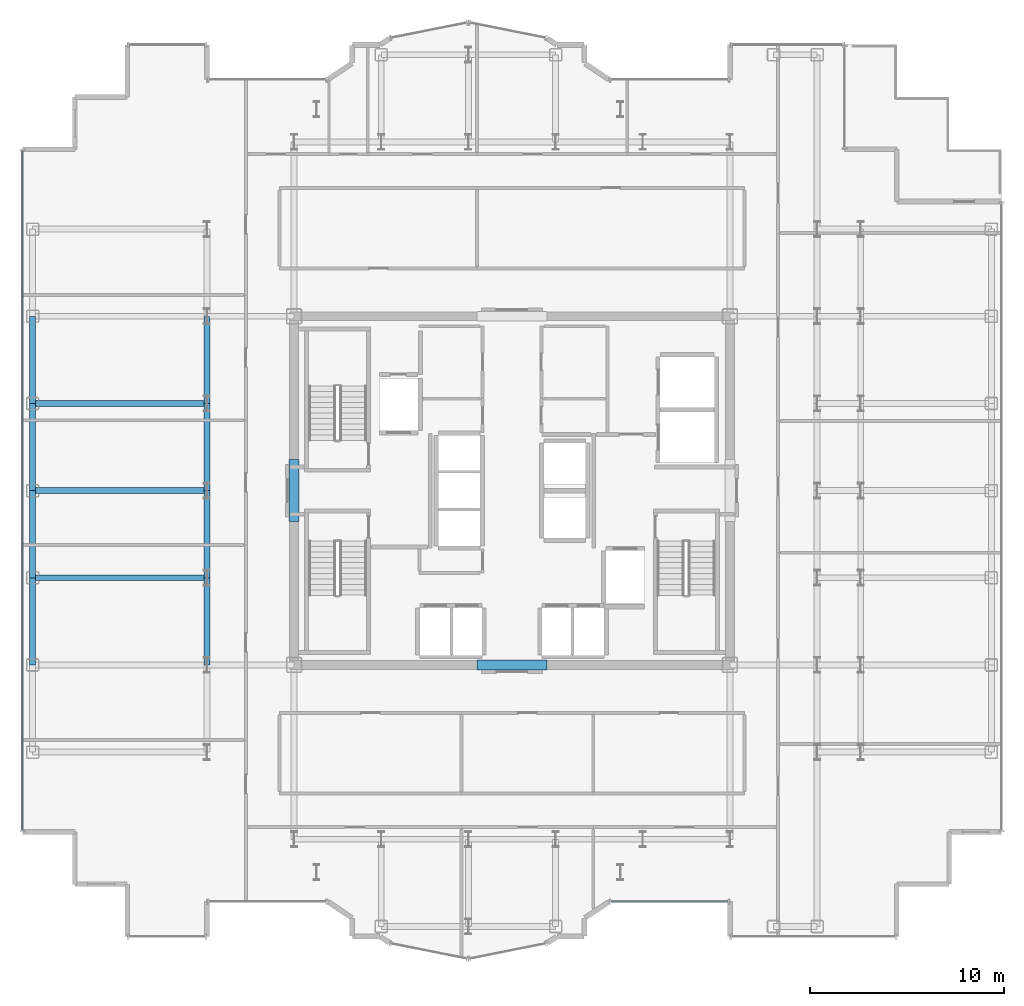
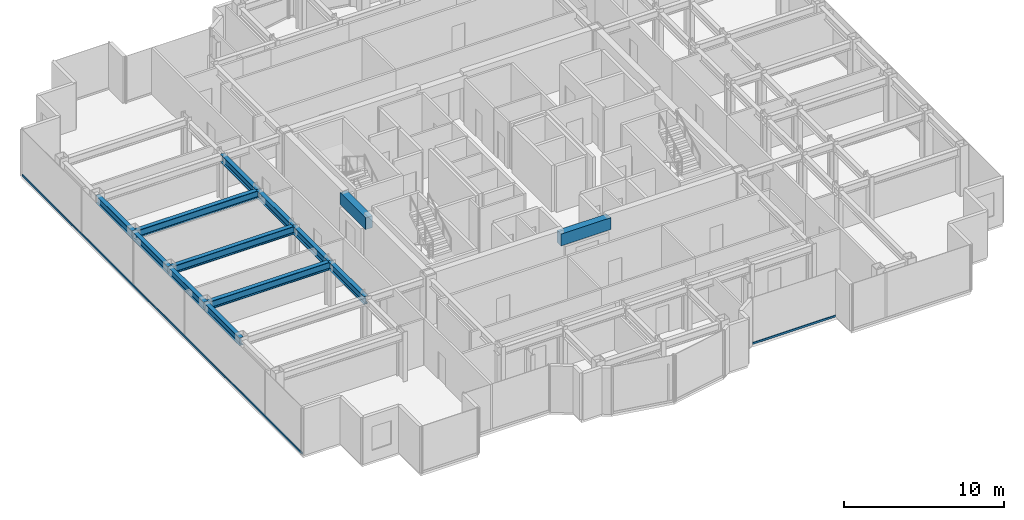
# One storey, part 4 of 20: 13 beams, 2 members, 2 elements without a shape of their own.
"""IFC4 building model written with IfcOpenShell, lengths in metres."""

from ifc_helpers import new_model, si_unit, direction, frame, origin, origin_2d, place, context, subcontext, project, spatial, rectangle, hollow_rectangle, i_section, extrude, source, transform, mapped, material, layer, layer_set, material_profile, profile_set, type_object, element, aggregate, save


model = new_model("IFC4")

# Units and contexts
model_context = context("Model", 3, precision=1e-05, world=origin(), true_north=direction((0.0, 1.0)))
body_context = subcontext(model_context, "Body", "Model", "MODEL_VIEW")
ifc_project = project(units=[si_unit("LENGTHUNIT", "METRE"), si_unit("AREAUNIT", "SQUARE_METRE"), si_unit("VOLUMEUNIT", "CUBIC_METRE"), si_unit("PLANEANGLEUNIT", "RADIAN"), si_unit("MASSUNIT", "GRAM", prefix="KILO")], contexts=[model_context])

# Site, building, storey
site_placement = place(None, origin())
site = spatial("IfcSite", under=ifc_project, at=site_placement, CompositionType="ELEMENT")
building_placement = place(site_placement, origin())
building = spatial("IfcBuilding", under=site, at=building_placement, Name="Nefas-Gora Pilgrimage Tower", CompositionType="ELEMENT")
storey_placement = place(building_placement, frame((0.0, 0.0, 221.800048828125)))
storey = spatial("IfcBuildingStorey", under=building, at=storey_placement, Name="L55", CompositionType="ELEMENT", Elevation=221.800048828125)

# Beams
ifc_material_1 = material(Name="Concrete C50/60", Category="concrete")
ifc_material_profile_1 = material_profile(ifc_material_1, rectangle(XDim=0.5, YDim=0.89990234375, at=origin_2d()), Name="RC 500x900")
ifc_profile_set_1 = profile_set([ifc_material_profile_1], Name="Concrete C50/60")
beam_type_1 = type_object("IfcBeamType", Name="BM-LIN-RC900", PredefinedType="LINTEL", material=ifc_profile_set_1)
shared_shape_1 = source(origin(), body_context, "Body", "SweptSolid", [
    extrude(rectangle(XDim=0.5, YDim=0.89990234375, at=origin_2d()), origin(), (0.0, 0.0, 1.0), 3.60009765625),
])
beam_1_placement = place(storey_placement, frame((-1.800048828125, -9.0, 3.099853515625), z_axis=(1.0, 0.0, 0.0), x_axis=(0.0, 1.0, 0.0)))
element("IfcBeam", 1, at=beam_1_placement, inside=storey, type_object=beam_type_1, Name="L55 Core Coupling Lintel Beam S", PredefinedType="LINTEL", context=body_context, shape_type="MappedRepresentation", body=[
    mapped(shared_shape_1, transform((0.0, 0.0, 0.0), x_axis=(1.0, 0.0, 0.0), y_axis=(0.0, 1.0, 0.0), z_axis=(0.0, 0.0, 1.0), scale=1.0)),
])
shared_shape_2 = source(origin(), body_context, "Body", "SweptSolid", [
    extrude(rectangle(XDim=0.5, YDim=0.89990234375, at=origin_2d()), origin(), (0.0, 0.0, 1.0), 3.2001953125),
])
beam_2_placement = place(storey_placement, frame((-11.25, -1.60009765625, 3.099853515625), z_axis=(0.0, 1.0, 0.0), x_axis=(-1.0, 0.0, 0.0)))
element("IfcBeam", 2, at=beam_2_placement, inside=storey, type_object=beam_type_1, Name="L55 Core Coupling Lintel Beam W", PredefinedType="LINTEL", context=body_context, shape_type="MappedRepresentation", body=[
    mapped(shared_shape_2, transform((0.0, 0.0, 0.0), x_axis=(1.0, 0.0, 0.0), y_axis=(0.0, 1.0, 0.0), z_axis=(0.0, 0.0, 1.0), scale=1.0)),
])
ifc_material_2 = material(Name="Steel S355", Category="steel")
ifc_material_profile_2 = material_profile(ifc_material_2, i_section(OverallWidth=0.300048828125, OverallDepth=0.60009765625, WebThickness=0.015380859375, FlangeThickness=0.030029296875, FilletRadius=0.027099609375, at=origin_2d()), Name="HEB 600")
ifc_profile_set_2 = profile_set([ifc_material_profile_2], Name="Steel S355")
beam_type_2 = type_object("IfcBeamType", Name="BM-SPN-HEB450", PredefinedType="SPANDREL", material=ifc_profile_set_2)
shared_shape_3 = source(origin(), body_context, "Body", "SweptSolid", [
    extrude(i_section(OverallWidth=0.300048828125, OverallDepth=0.60009765625, WebThickness=0.015380859375, FlangeThickness=0.030029296875, FilletRadius=0.027099609375, at=origin_2d()), origin(), (0.0, 0.0, 1.0), 4.5),
])
for number, where, z_axis, x_axis, name in (
    (3, (-24.75, -9.0, 3.25), (0.0, 1.0, 0.0), (-1.0, 0.0, 0.0), "L55 SP-03 beam"),
    (4, (-24.75, -4.5, 3.25), (0.0, 1.0, 0.0), (-1.0, 0.0, 0.0), "L55 SP-03 beam"),
    (5, (-24.75, 0.0, 3.25), (0.0, 1.0, 0.0), (-1.0, 0.0, 0.0), "L55 SP-03 beam"),
    (6, (-24.75, 4.5, 3.25), (0.0, 1.0, 0.0), (-1.0, 0.0, 0.0), "L55 SP-03 beam"),
):
    element("IfcBeam", number, at=place(storey_placement, frame(where, z_axis=z_axis, x_axis=x_axis)), inside=storey, type_object=beam_type_2, Name=name, PredefinedType="SPANDREL", context=body_context, shape_type="MappedRepresentation", body=[
        mapped(shared_shape_3, transform((0.0, 0.0, 0.0), x_axis=(1.0, 0.0, 0.0), y_axis=(0.0, 1.0, 0.0), z_axis=(0.0, 0.0, 1.0), scale=1.0)),
    ])
ifc_material_profile_3 = material_profile(ifc_material_2, i_section(OverallWidth=0.300048828125, OverallDepth=0.60009765625, WebThickness=0.015380859375, FlangeThickness=0.030029296875, FilletRadius=0.027099609375, at=origin_2d()), Name="HEB 600")
ifc_profile_set_3 = profile_set([ifc_material_profile_3], Name="Steel S355")
beam_type_3 = type_object("IfcBeamType", Name="BM-GIR-HEB600", PredefinedType="BEAM", material=ifc_profile_set_3)
shared_shape_4 = source(origin(), body_context, "Body", "SweptSolid", [
    extrude(i_section(OverallWidth=0.300048828125, OverallDepth=0.60009765625, WebThickness=0.015380859375, FlangeThickness=0.030029296875, FilletRadius=0.027099609375, at=origin_2d()), origin(), (0.0, 0.0, 1.0), 9.0),
])
for number, where, z_axis, x_axis, name in (
    (7, (-24.75, -4.5, 3.25), (1.0, 0.0, 0.0), (0.0, 1.0, 0.0), "L55 G-04 beam"),
    (8, (-24.75, 0.0, 3.25), (1.0, 0.0, 0.0), (0.0, 1.0, 0.0), "L55 G-04 beam"),
    (9, (-24.75, 4.5, 3.25), (1.0, 0.0, 0.0), (0.0, 1.0, 0.0), "L55 G-04 beam"),
):
    element("IfcBeam", number, at=place(storey_placement, frame(where, z_axis=z_axis, x_axis=x_axis)), inside=storey, type_object=beam_type_3, Name=name, PredefinedType="BEAM", context=body_context, shape_type="MappedRepresentation", body=[
        mapped(shared_shape_4, transform((0.0, 0.0, 0.0), x_axis=(1.0, 0.0, 0.0), y_axis=(0.0, 1.0, 0.0), z_axis=(0.0, 0.0, 1.0), scale=1.0)),
    ])
shared_shape_5 = source(origin(), body_context, "Body", "SweptSolid", [
    extrude(i_section(OverallWidth=0.300048828125, OverallDepth=0.60009765625, WebThickness=0.015380859375, FlangeThickness=0.030029296875, FilletRadius=0.027099609375, at=origin_2d()), origin(), (0.0, 0.0, 1.0), 4.5),
])
for number, where, z_axis, x_axis, name in (
    (10, (-15.75, -9.0, 3.25), (0.0, 1.0, 0.0), (-1.0, 0.0, 0.0), "L55 G-04 beam"),
    (11, (-15.75, -4.5, 3.25), (0.0, 1.0, 0.0), (-1.0, 0.0, 0.0), "L55 G-04 beam"),
    (12, (-15.75, 0.0, 3.25), (0.0, 1.0, 0.0), (-1.0, 0.0, 0.0), "L55 G-04 beam"),
    (13, (-15.75, 4.5, 3.25), (0.0, 1.0, 0.0), (-1.0, 0.0, 0.0), "L55 G-04 beam"),
):
    element("IfcBeam", number, at=place(storey_placement, frame(where, z_axis=z_axis, x_axis=x_axis)), inside=storey, type_object=beam_type_3, Name=name, PredefinedType="BEAM", context=body_context, shape_type="MappedRepresentation", body=[
        mapped(shared_shape_5, transform((0.0, 0.0, 0.0), x_axis=(1.0, 0.0, 0.0), y_axis=(0.0, 1.0, 0.0), z_axis=(0.0, 0.0, 1.0), scale=1.0)),
    ])

# Curtain wall, member
ifc_material_3 = material(Name="Dark ceramic-fritted solar-control aluminium-glass curtain wall", Category="aluminium")
ifc_layer_1 = layer(ifc_material_3, 0.219970703125)
ifc_layer_set_1 = layer_set([ifc_layer_1], Name="Dark ceramic-fritted solar-control aluminium-glass curtain wall")
curtain_wall_type_1 = type_object("IfcCurtainWallType", Name="CW-SYS-5", PredefinedType="NOTDEFINED", material=ifc_layer_set_1)
curtain_wall_1_placement = place(storey_placement, origin())
curtain_wall_1 = element("IfcCurtainWall", 14, at=curtain_wall_1_placement, inside=storey, type_object=curtain_wall_type_1, Name="L55 Unitised Curtain Wall CW5", PredefinedType="NOTDEFINED")
ifc_material_4 = material(Name="Anodised architectural aluminium", Category="aluminium")
ifc_material_profile_4 = material_profile(ifc_material_4, hollow_rectangle(XDim=0.080078125, YDim=0.159912109375, WallThickness=0.00439453125, InnerFilletRadius=0.00439453125, OuterFilletRadius=0.009033203125, at=origin_2d()), Name="ALU TRANSOM 80x160")
ifc_profile_set_4 = profile_set([ifc_material_profile_4], Name="Anodised architectural aluminium")
member_type_1 = type_object("IfcMemberType", Name="CWM-TRN-5", PredefinedType="USERDEFINED", material=ifc_profile_set_4)
shared_shape_6 = source(origin(), body_context, "Body", "SweptSolid", [
    extrude(hollow_rectangle(XDim=0.080078125, YDim=0.159912109375, WallThickness=0.00439453125, InnerFilletRadius=0.00439453125, OuterFilletRadius=0.009033203125, at=origin_2d()), origin(), (0.0, 0.0, 1.0), 6.052001953125),
])
member_1_placement = place(storey_placement, frame((5.10791015625, -21.219970703125, 0.050048828125), z_axis=(1.0, 0.0, 0.0), x_axis=(0.0, 1.0, 0.0)))
member_1 = element("IfcMember", 15, at=member_1_placement, type_object=member_type_1, Name="CW5 Spandrel Transom", ObjectType="TRANSOM", PredefinedType="USERDEFINED", context=body_context, shape_type="MappedRepresentation", body=[
    mapped(shared_shape_6, transform((0.0, 0.0, 0.0), x_axis=(1.0, 0.0, 0.0), y_axis=(0.0, 1.0, 0.0), z_axis=(0.0, 0.0, 1.0), scale=1.0)),
])
aggregate(curtain_wall_1, [member_1])

ifc_layer_2 = layer(ifc_material_3, 0.219970703125)
ifc_layer_set_2 = layer_set([ifc_layer_2], Name="Dark ceramic-fritted solar-control aluminium-glass curtain wall")
curtain_wall_type_2 = type_object("IfcCurtainWallType", Name="CW-SYS-3", PredefinedType="NOTDEFINED", material=ifc_layer_set_2)
curtain_wall_2_placement = place(storey_placement, origin())
curtain_wall_2 = element("IfcCurtainWall", 16, at=curtain_wall_2_placement, inside=storey, type_object=curtain_wall_type_2, Name="L55 Unitised Curtain Wall CW3", PredefinedType="NOTDEFINED")
ifc_material_profile_5 = material_profile(ifc_material_4, hollow_rectangle(XDim=0.080078125, YDim=0.159912109375, WallThickness=0.00439453125, InnerFilletRadius=0.00439453125, OuterFilletRadius=0.009033203125, at=origin_2d()), Name="ALU TRANSOM 80x160")
ifc_profile_set_5 = profile_set([ifc_material_profile_5], Name="Anodised architectural aluminium")
member_type_2 = type_object("IfcMemberType", Name="CWM-TRN-3", PredefinedType="USERDEFINED", material=ifc_profile_set_5)
shared_shape_7 = source(origin(), body_context, "Body", "SweptSolid", [
    extrude(hollow_rectangle(XDim=0.080078125, YDim=0.159912109375, WallThickness=0.00439453125, InnerFilletRadius=0.00439453125, OuterFilletRadius=0.009033203125, at=origin_2d()), origin(), (0.0, 0.0, 1.0), 35.06005859375),
])
member_2_placement = place(storey_placement, frame((-25.27001953125, 17.530029296875, 0.050048828125), z_axis=(0.0, -1.0, 0.0), x_axis=(1.0, 0.0, 0.0)))
member_2 = element("IfcMember", 17, at=member_2_placement, type_object=member_type_2, Name="CW3 Spandrel Transom", ObjectType="TRANSOM", PredefinedType="USERDEFINED", context=body_context, shape_type="MappedRepresentation", body=[
    mapped(shared_shape_7, transform((0.0, 0.0, 0.0), x_axis=(1.0, 0.0, 0.0), y_axis=(0.0, 1.0, 0.0), z_axis=(0.0, 0.0, 1.0), scale=1.0)),
])
aggregate(curtain_wall_2, [member_2])

save(model, "model.ifc")
